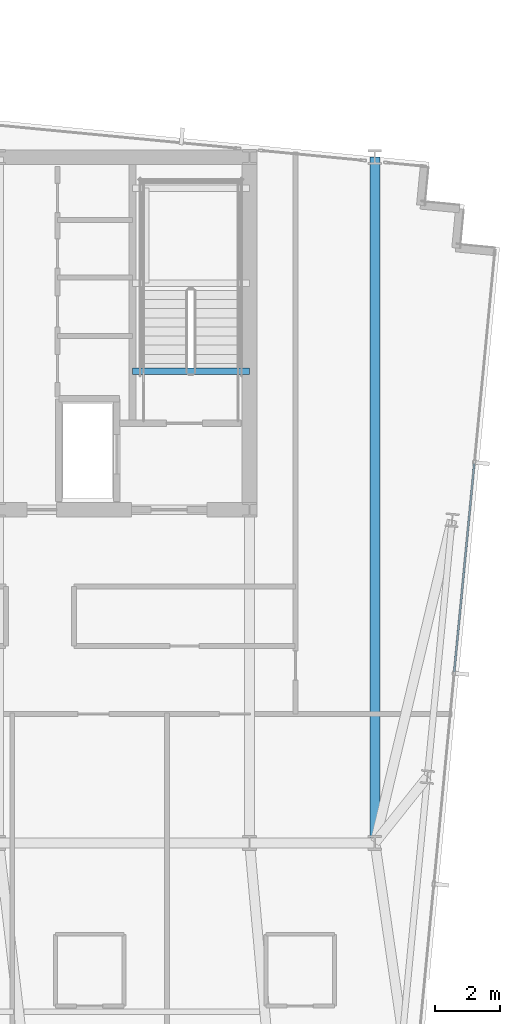
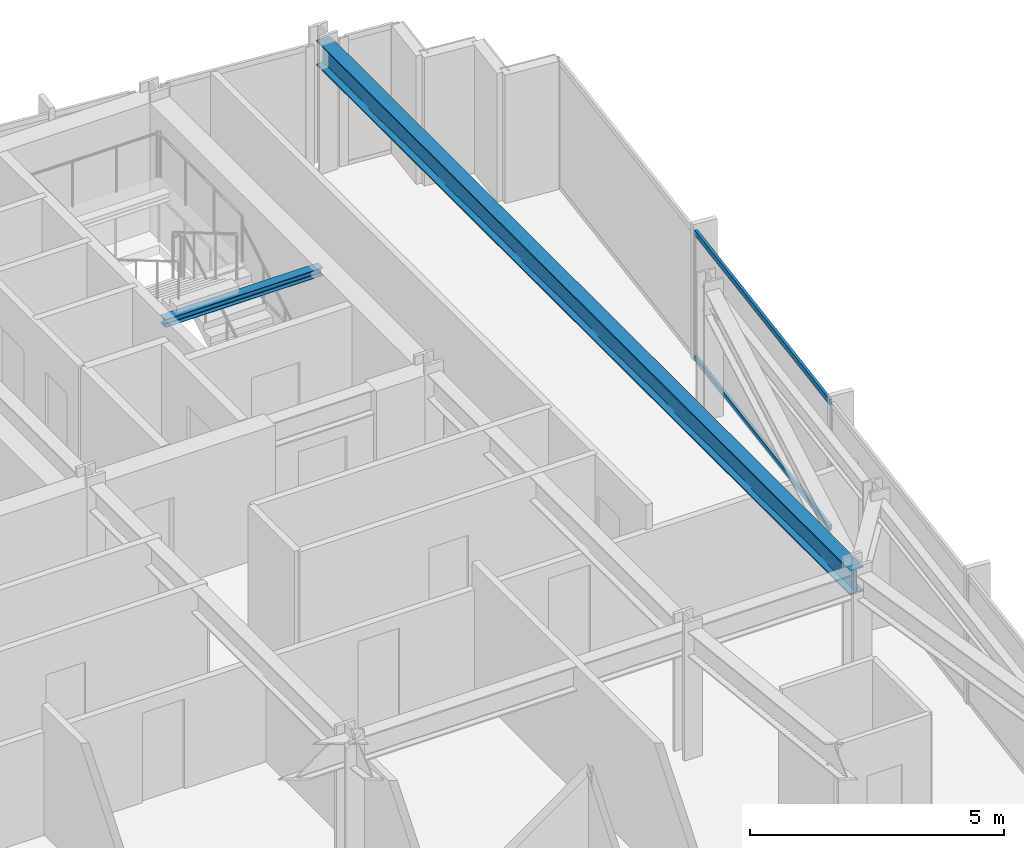
# One storey, part 19 of 38: 2 beams, 2 members, 1 element without a shape of its own.
"""IFC4 building model written with IfcOpenShell, lengths in metres."""

from ifc_helpers import new_model, si_unit, direction, frame, origin, origin_2d, place, context, subcontext, project, spatial, hollow_rectangle, i_section, extrude, material, material_profile, profile_set, type_object, element, aggregate, save


model = new_model("IFC4")

# Units and contexts
model_context = context("Model", 3, precision=1e-05, world=origin(), true_north=direction((0.0, 1.0)))
body_context = subcontext(model_context, "Body", "Model", "MODEL_VIEW")
ifc_project = project(units=[si_unit("LENGTHUNIT", "METRE"), si_unit("AREAUNIT", "SQUARE_METRE"), si_unit("VOLUMEUNIT", "CUBIC_METRE"), si_unit("PLANEANGLEUNIT", "RADIAN"), si_unit("MASSUNIT", "GRAM", prefix="KILO")], contexts=[model_context])

# Site, building, storey
site_placement = place(None, origin())
site = spatial("IfcSite", under=ifc_project, at=site_placement, CompositionType="ELEMENT")
building_placement = place(site_placement, origin())
building = spatial("IfcBuilding", under=site, at=building_placement, Name="Yelkora Congress Tower", CompositionType="ELEMENT")
storey_placement = place(building_placement, frame((0.0, 0.0, 178.699951171875)))
storey = spatial("IfcBuildingStorey", under=building, at=storey_placement, Name="L49", CompositionType="ELEMENT", Elevation=178.699951171875)

# Beams
ifc_material_1 = material(Name="Steel S355J2", Category="steel")
ifc_material_profile_1 = material_profile(ifc_material_1, i_section(OverallWidth=0.300048828125, OverallDepth=0.60009765625, WebThickness=0.015380859375, FlangeThickness=0.030029296875, FilletRadius=0.027099609375, at=origin_2d()), Name="HEB 600")
ifc_profile_set_1 = profile_set([ifc_material_profile_1], Name="Steel S355J2")
beam_type_1 = type_object("IfcBeamType", Name="BM-GIRD-HEB600", PredefinedType="BEAM", material=ifc_profile_set_1)
beam_1_placement = place(storey_placement, frame((57.60009765625, 25.199951171875, 2.780029296875), z_axis=(0.0, 1.0, 0.0), x_axis=(-1.0, 0.0, 0.0)))
element("IfcBeam", 1, at=beam_1_placement, inside=storey, type_object=beam_type_1, Name="L49 Neck Flank Girder MC-F2", PredefinedType="BEAM", context=body_context, shape_type="SweptSolid", body=[
    extrude(i_section(OverallWidth=0.300048828125, OverallDepth=0.60009765625, WebThickness=0.015380859375, FlangeThickness=0.030029296875, FilletRadius=0.027099609375, at=origin_2d()), origin(), (0.0, 0.0, 1.0), 21.0),
])
ifc_material_profile_2 = material_profile(ifc_material_1, i_section(OverallWidth=0.199951171875, OverallDepth=0.18994140625, WebThickness=0.006591796875, FlangeThickness=0.010009765625, FilletRadius=0.01806640625, at=origin_2d()), Name="HEA 200")
ifc_profile_set_2 = profile_set([ifc_material_profile_2], Name="Steel S355J2")
beam_type_2 = type_object("IfcBeamType", Name="BM-LAND-HEA200", PredefinedType="BEAM", material=ifc_profile_set_2)
beam_2_placement = place(storey_placement, frame((50.179931640625, 39.639892578125, 2.85400390625), z_axis=(1.0, 0.0, 0.0), x_axis=(0.0, 1.0, 0.0)))
element("IfcBeam", 2, at=beam_2_placement, inside=storey, type_object=beam_type_2, Name="ST-02 L49 Floor Arrival Stringer Header Beam", PredefinedType="BEAM", context=body_context, shape_type="SweptSolid", body=[
    extrude(i_section(OverallWidth=0.199951171875, OverallDepth=0.18994140625, WebThickness=0.006591796875, FlangeThickness=0.010009765625, FilletRadius=0.01806640625, at=origin_2d()), origin(), (0.0, 0.0, 1.0), 3.580078125),
])

# Curtain wall, members
ifc_material_2 = material(Name="Anodised aluminium and insulated glass", Category="aluminium")
curtain_wall_type = type_object("IfcCurtainWallType", Name="CW-SYS-B3", PredefinedType="NOTDEFINED", material=ifc_material_2)
curtain_wall_placement = place(storey_placement, origin())
curtain_wall = element("IfcCurtainWall", 3, at=curtain_wall_placement, inside=storey, type_object=curtain_wall_type, Name="L49 Unitised Curtain Wall 15", PredefinedType="NOTDEFINED")
ifc_material_3 = material(Name="Anodised aluminium 6063-T6", Category="aluminium")
ifc_material_profile_3 = material_profile(ifc_material_3, hollow_rectangle(XDim=0.06005859375, YDim=0.1298828125, WallThickness=0.00390625, at=origin_2d()), Name="ALU 60x130x4")
ifc_profile_set_3 = profile_set([ifc_material_profile_3], Name="Anodised aluminium 6063-T6")
member_type = type_object("IfcMemberType", Name="MEM-TR-B3", PredefinedType="USERDEFINED", material=ifc_profile_set_3)
member_1_placement = place(storey_placement, frame((60.642822265625, 36.81494140625, 0.030029296875), z_axis=(-0.095843682057, -0.995396397728, 0.0), x_axis=(0.995396397728, -0.095843682057, 0.0)))
member_1 = element("IfcMember", 4, at=member_1_placement, type_object=member_type, Name="CW-B3 transom 2.1", ObjectType="TRANSOM", PredefinedType="USERDEFINED", context=body_context, shape_type="SweptSolid", body=[
    extrude(hollow_rectangle(XDim=0.06005859375, YDim=0.1298828125, WallThickness=0.00390625, at=origin_2d()), origin(), (0.0, 0.0, 1.0), 6.4140625),
])
member_2_placement = place(storey_placement, frame((60.642822265625, 36.81494140625, 3.050048828125), z_axis=(-0.095843682057, -0.995396397728, 0.0), x_axis=(0.995396397728, -0.095843682057, 0.0)))
member_2 = element("IfcMember", 5, at=member_2_placement, type_object=member_type, Name="CW-B3 transom 2.2", ObjectType="TRANSOM", PredefinedType="USERDEFINED", context=body_context, shape_type="SweptSolid", body=[
    extrude(hollow_rectangle(XDim=0.06005859375, YDim=0.1298828125, WallThickness=0.00390625, at=origin_2d()), origin(), (0.0, 0.0, 1.0), 6.4140625),
])
aggregate(curtain_wall, [member_1, member_2])

save(model, "model.ifc")
